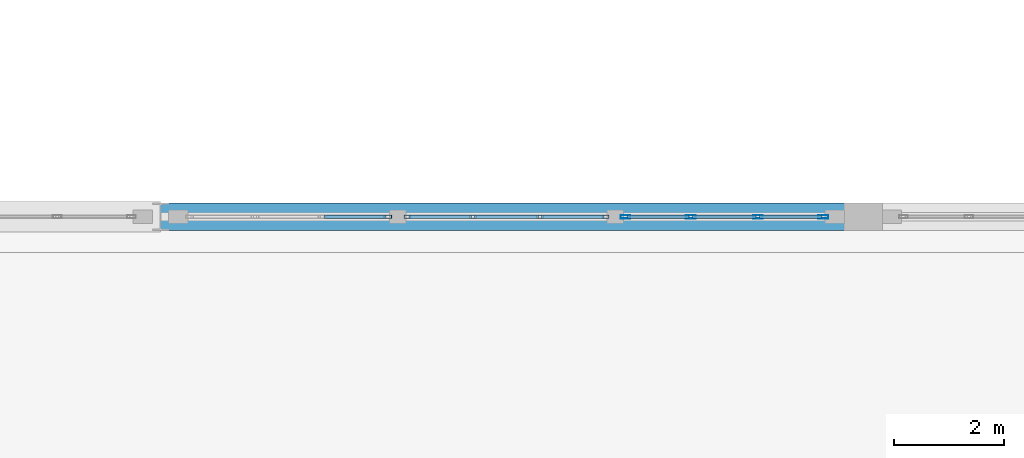
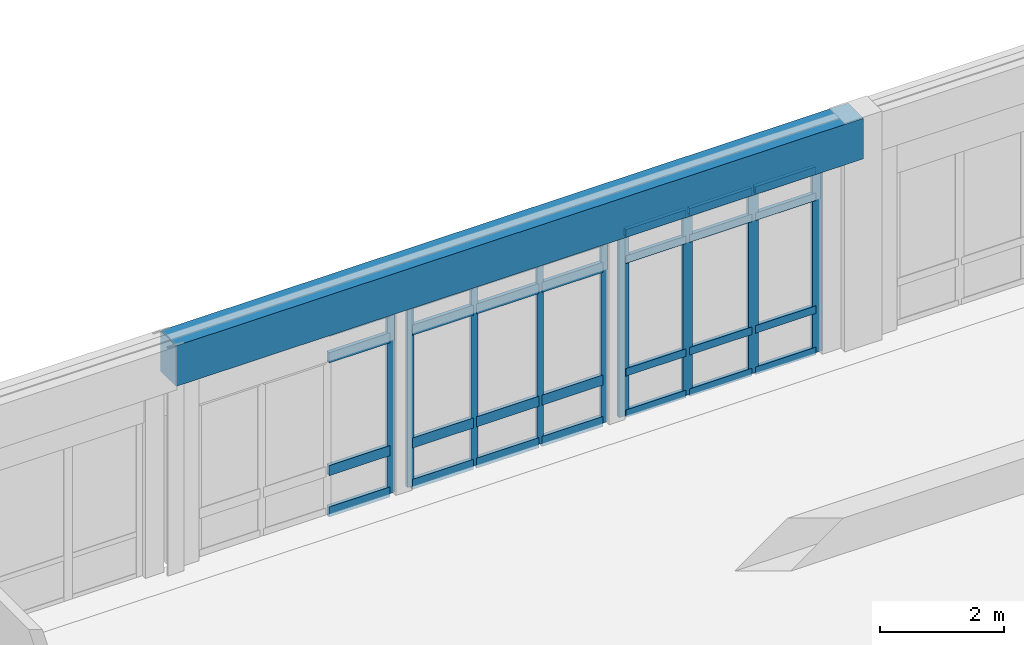
# One storey, part 47 of 80: 37 members, 1 beam, 3 elements without a shape of their own.
"""IFC4 building model written with IfcOpenShell, lengths in metres."""

from ifc_helpers import new_model, si_unit, direction, frame, origin, origin_2d, place, context, subcontext, project, spatial, rectangle, hollow_rectangle, extrude, material, layer, layer_set, material_profile, profile_set, type_object, element, aggregate, save


model = new_model("IFC4")

# Units and contexts
model_context = context("Model", 3, precision=1e-05, world=origin(), true_north=direction((0.0, 1.0)))
body_context = subcontext(model_context, "Body", "Model", "MODEL_VIEW")
ifc_project = project(units=[si_unit("LENGTHUNIT", "METRE"), si_unit("AREAUNIT", "SQUARE_METRE"), si_unit("VOLUMEUNIT", "CUBIC_METRE"), si_unit("PLANEANGLEUNIT", "RADIAN"), si_unit("MASSUNIT", "GRAM", prefix="KILO")], contexts=[model_context])

# Site, building, storey
site_placement = place(None, origin())
site = spatial("IfcSite", under=ifc_project, at=site_placement, CompositionType="ELEMENT")
building_placement = place(site_placement, origin())
building = spatial("IfcBuilding", under=site, at=building_placement, Name="Fikremerkos Civic Library", CompositionType="ELEMENT")
storey_placement = place(building_placement, frame((0.0, 0.0, 9.89990234375)))
storey = spatial("IfcBuildingStorey", under=building, at=storey_placement, Name="L02", CompositionType="ELEMENT", Elevation=9.89990234375)

# Curtain wall, members
ifc_material_1 = material(Name="Anodized aluminium Frame", Category="aluminium")
ifc_layer_1 = layer(ifc_material_1, 0.159912109375, Name="Anodized aluminium Frame")
ifc_layer_set_1 = layer_set([ifc_layer_1], Name="Anodized aluminium Frame")
curtain_wall_type_1 = type_object("IfcCurtainWallType", Name="Unitised curtain wall CW-17 4600x3600", PredefinedType="USERDEFINED", material=ifc_layer_set_1)
curtain_wall_1_placement = place(storey_placement, origin())
curtain_wall_1 = element("IfcCurtainWall", 1, at=curtain_wall_1_placement, inside=storey, type_object=curtain_wall_type_1, Name="Unitised curtain wall CW-17 L02 #179", ObjectType="UNITISED CURTAIN WALL", PredefinedType="USERDEFINED")
ifc_material_profile_1 = material_profile(ifc_material_1, hollow_rectangle(XDim=0.06494140625, YDim=0.179931640625, WallThickness=0.00439453125, at=origin_2d()), Name="ALU 180x65x4.5")
ifc_profile_set_1 = profile_set([ifc_material_profile_1], Name="Anodized aluminium Frame")
member_type_1 = type_object("IfcMemberType", Name="Curtain mullion CWM-01 ALU 180x65x4.5", PredefinedType="MULLION", material=ifc_profile_set_1)
member_1_placement = place(storey_placement, frame((142.866455078125, 40.800048828125, 0.0), z_axis=(0.0, 0.0, 1.0), x_axis=(0.0, 1.0, 0.0)))
member_1 = element("IfcMember", 2, at=member_1_placement, type_object=member_type_1, Name="CW-17 mullion 1", PredefinedType="MULLION", context=body_context, shape_type="SweptSolid", body=[
    extrude(hollow_rectangle(XDim=0.06494140625, YDim=0.179931640625, WallThickness=0.00439453125, at=origin_2d()), origin(), (0.0, 0.0, 1.0), 3.6201171875),
])
member_2_placement = place(storey_placement, frame((144.056640625, 40.800048828125, 0.0), z_axis=(0.0, 0.0, 1.0), x_axis=(0.0, 1.0, 0.0)))
member_2 = element("IfcMember", 3, at=member_2_placement, type_object=member_type_1, Name="CW-17 mullion 2", PredefinedType="MULLION", context=body_context, shape_type="SweptSolid", body=[
    extrude(hollow_rectangle(XDim=0.06494140625, YDim=0.179931640625, WallThickness=0.00439453125, at=origin_2d()), origin(), (0.0, 0.0, 1.0), 3.6201171875),
])
member_3_placement = place(storey_placement, frame((145.279296875, 40.800048828125, 0.0), z_axis=(0.0, 0.0, 1.0), x_axis=(0.0, 1.0, 0.0)))
member_3 = element("IfcMember", 4, at=member_3_placement, type_object=member_type_1, Name="CW-17 mullion 3", PredefinedType="MULLION", context=body_context, shape_type="SweptSolid", body=[
    extrude(hollow_rectangle(XDim=0.06494140625, YDim=0.179931640625, WallThickness=0.00439453125, at=origin_2d()), origin(), (0.0, 0.0, 1.0), 3.6201171875),
])
member_4_placement = place(storey_placement, frame((146.469482421875, 40.800048828125, 0.0), z_axis=(0.0, 0.0, 1.0), x_axis=(0.0, 1.0, 0.0)))
member_4 = element("IfcMember", 5, at=member_4_placement, type_object=member_type_1, Name="CW-17 mullion 4", PredefinedType="MULLION", context=body_context, shape_type="SweptSolid", body=[
    extrude(hollow_rectangle(XDim=0.06494140625, YDim=0.179931640625, WallThickness=0.00439453125, at=origin_2d()), origin(), (0.0, 0.0, 1.0), 3.6201171875),
])

# Curtain wall, member
ifc_layer_2 = layer(ifc_material_1, 0.159912109375, Name="Anodized aluminium Frame")
ifc_layer_set_2 = layer_set([ifc_layer_2], Name="Anodized aluminium Frame")
curtain_wall_type_2 = type_object("IfcCurtainWallType", Name="Unitised curtain wall CW-15 2900x3600", PredefinedType="USERDEFINED", material=ifc_layer_set_2)
curtain_wall_2_placement = place(storey_placement, origin())
curtain_wall_2 = element("IfcCurtainWall", 6, at=curtain_wall_2_placement, inside=storey, type_object=curtain_wall_type_2, Name="Unitised curtain wall CW-15 L02 #177", ObjectType="UNITISED CURTAIN WALL", PredefinedType="USERDEFINED")
ifc_material_profile_2 = material_profile(ifc_material_1, hollow_rectangle(XDim=0.06005859375, YDim=0.139892578125, WallThickness=0.00390625, at=origin_2d()), Name="ALU 140x60x4")
ifc_profile_set_2 = profile_set([ifc_material_profile_2], Name="Anodized aluminium Frame")
member_type_2 = type_object("IfcMemberType", Name="Curtain mullion CWM-03 ALU 140x60x4", PredefinedType="MULLION", material=ifc_profile_set_2)
member_5_placement = place(storey_placement, frame((138.535888671875, 40.800048828125, 0.0), z_axis=(0.0, 0.0, 1.0), x_axis=(0.0, 1.0, 0.0)))
member_5 = element("IfcMember", 7, at=member_5_placement, type_object=member_type_2, Name="CW-15 mullion 4", PredefinedType="MULLION", context=body_context, shape_type="SweptSolid", body=[
    extrude(hollow_rectangle(XDim=0.06005859375, YDim=0.139892578125, WallThickness=0.00390625, at=origin_2d()), origin(), (0.0, 0.0, 1.0), 3.6201171875),
])

# Curtain wall, members
ifc_layer_3 = layer(ifc_material_1, 0.159912109375, Name="Anodized aluminium Frame")
ifc_layer_set_3 = layer_set([ifc_layer_3], Name="Anodized aluminium Frame")
curtain_wall_type_3 = type_object("IfcCurtainWallType", Name="Unitised curtain wall CW-16 3100x4100", PredefinedType="USERDEFINED", material=ifc_layer_set_3)
curtain_wall_3_placement = place(storey_placement, origin())
curtain_wall_3 = element("IfcCurtainWall", 8, at=curtain_wall_3_placement, inside=storey, type_object=curtain_wall_type_3, Name="Unitised curtain wall CW-16 L02 #178", ObjectType="UNITISED CURTAIN WALL", PredefinedType="USERDEFINED")
ifc_material_profile_3 = material_profile(ifc_material_1, hollow_rectangle(XDim=0.06005859375, YDim=0.1201171875, WallThickness=0.00390625, at=origin_2d()), Name="ALU 120x60x4")
ifc_profile_set_3 = profile_set([ifc_material_profile_3], Name="Anodized aluminium Frame")
member_type_3 = type_object("IfcMemberType", Name="Curtain mullion CWM-04 ALU 120x60x4", PredefinedType="MULLION", material=ifc_profile_set_3)
member_6_placement = place(storey_placement, frame((138.89599609375, 40.800048828125, 0.0), z_axis=(0.0, 0.0, 1.0), x_axis=(0.0, 1.0, 0.0)))
member_6 = element("IfcMember", 9, at=member_6_placement, type_object=member_type_3, Name="CW-16 mullion 1", PredefinedType="MULLION", context=body_context, shape_type="SweptSolid", body=[
    extrude(hollow_rectangle(XDim=0.06005859375, YDim=0.1201171875, WallThickness=0.00390625, at=origin_2d()), origin(), (0.0, 0.0, 1.0), 3.6201171875),
])
member_7_placement = place(storey_placement, frame((140.088623046875, 40.800048828125, 0.0), z_axis=(0.0, 0.0, 1.0), x_axis=(0.0, 1.0, 0.0)))
member_7 = element("IfcMember", 10, at=member_7_placement, type_object=member_type_3, Name="CW-16 mullion 2", PredefinedType="MULLION", context=body_context, shape_type="SweptSolid", body=[
    extrude(hollow_rectangle(XDim=0.06005859375, YDim=0.1201171875, WallThickness=0.00390625, at=origin_2d()), origin(), (0.0, 0.0, 1.0), 3.6201171875),
])
member_8_placement = place(storey_placement, frame((141.311279296875, 40.800048828125, 0.0), z_axis=(0.0, 0.0, 1.0), x_axis=(0.0, 1.0, 0.0)))
member_8 = element("IfcMember", 11, at=member_8_placement, type_object=member_type_3, Name="CW-16 mullion 3", PredefinedType="MULLION", context=body_context, shape_type="SweptSolid", body=[
    extrude(hollow_rectangle(XDim=0.06005859375, YDim=0.1201171875, WallThickness=0.00390625, at=origin_2d()), origin(), (0.0, 0.0, 1.0), 3.6201171875),
])
member_9_placement = place(storey_placement, frame((142.50390625, 40.800048828125, 0.0), z_axis=(0.0, 0.0, 1.0), x_axis=(0.0, 1.0, 0.0)))
member_9 = element("IfcMember", 12, at=member_9_placement, type_object=member_type_3, Name="CW-16 mullion 4", PredefinedType="MULLION", context=body_context, shape_type="SweptSolid", body=[
    extrude(hollow_rectangle(XDim=0.06005859375, YDim=0.1201171875, WallThickness=0.00390625, at=origin_2d()), origin(), (0.0, 0.0, 1.0), 3.6201171875),
])

# Member
ifc_material_profile_4 = material_profile(ifc_material_1, hollow_rectangle(XDim=0.070068359375, YDim=0.14990234375, WallThickness=0.00439453125, at=origin_2d()), Name="ALU 150x70x4.5")
ifc_profile_set_4 = profile_set([ifc_material_profile_4], Name="Anodized aluminium Frame")
member_type_4 = type_object("IfcMemberType", Name="Curtain transom CWT-01 ALU 150x70x4.5", PredefinedType="USERDEFINED", material=ifc_profile_set_4)
member_10_placement = place(storey_placement, frame((142.89892578125, 40.800048828125, 0.03515625), z_axis=(1.0, 0.0, 0.0), x_axis=(0.0, 1.0, 0.0)))
member_10 = element("IfcMember", 13, at=member_10_placement, type_object=member_type_4, Name="CW-17 transom 1.1", ObjectType="TRANSOM", PredefinedType="USERDEFINED", context=body_context, shape_type="SweptSolid", body=[
    extrude(hollow_rectangle(XDim=0.070068359375, YDim=0.14990234375, WallThickness=0.00439453125, at=origin_2d()), origin(), (0.0, 0.0, 1.0), 1.125244140625),
])

member_11_placement = place(storey_placement, frame((142.89892578125, 40.800048828125, 0.85009765625), z_axis=(1.0, 0.0, 0.0), x_axis=(0.0, 1.0, 0.0)))
member_11 = element("IfcMember", 14, at=member_11_placement, type_object=member_type_4, Name="CW-17 transom 1.2", ObjectType="TRANSOM", PredefinedType="USERDEFINED", context=body_context, shape_type="SweptSolid", body=[
    extrude(hollow_rectangle(XDim=0.070068359375, YDim=0.14990234375, WallThickness=0.00439453125, at=origin_2d()), origin(), (0.0, 0.0, 1.0), 1.125244140625),
])

member_12_placement = place(storey_placement, frame((142.89892578125, 40.800048828125, 3.070068359375), z_axis=(1.0, 0.0, 0.0), x_axis=(0.0, 1.0, 0.0)))
member_12 = element("IfcMember", 15, at=member_12_placement, type_object=member_type_4, Name="CW-17 transom 1.3", ObjectType="TRANSOM", PredefinedType="USERDEFINED", context=body_context, shape_type="SweptSolid", body=[
    extrude(hollow_rectangle(XDim=0.070068359375, YDim=0.14990234375, WallThickness=0.00439453125, at=origin_2d()), origin(), (0.0, 0.0, 1.0), 1.125244140625),
])

member_13_placement = place(storey_placement, frame((142.89892578125, 40.800048828125, 3.585205078125), z_axis=(1.0, 0.0, 0.0), x_axis=(0.0, 1.0, 0.0)))
member_13 = element("IfcMember", 16, at=member_13_placement, type_object=member_type_4, Name="CW-17 transom 1.4", ObjectType="TRANSOM", PredefinedType="USERDEFINED", context=body_context, shape_type="SweptSolid", body=[
    extrude(hollow_rectangle(XDim=0.070068359375, YDim=0.14990234375, WallThickness=0.00439453125, at=origin_2d()), origin(), (0.0, 0.0, 1.0), 1.125244140625),
])

member_14_placement = place(storey_placement, frame((144.089111328125, 40.800048828125, 0.03515625), z_axis=(1.0, 0.0, 0.0), x_axis=(0.0, 1.0, 0.0)))
member_14 = element("IfcMember", 17, at=member_14_placement, type_object=member_type_4, Name="CW-17 transom 2.1", ObjectType="TRANSOM", PredefinedType="USERDEFINED", context=body_context, shape_type="SweptSolid", body=[
    extrude(hollow_rectangle(XDim=0.070068359375, YDim=0.14990234375, WallThickness=0.00439453125, at=origin_2d()), origin(), (0.0, 0.0, 1.0), 1.15771484375),
])

member_15_placement = place(storey_placement, frame((144.089111328125, 40.800048828125, 0.85009765625), z_axis=(1.0, 0.0, 0.0), x_axis=(0.0, 1.0, 0.0)))
member_15 = element("IfcMember", 18, at=member_15_placement, type_object=member_type_4, Name="CW-17 transom 2.2", ObjectType="TRANSOM", PredefinedType="USERDEFINED", context=body_context, shape_type="SweptSolid", body=[
    extrude(hollow_rectangle(XDim=0.070068359375, YDim=0.14990234375, WallThickness=0.00439453125, at=origin_2d()), origin(), (0.0, 0.0, 1.0), 1.15771484375),
])

member_16_placement = place(storey_placement, frame((144.089111328125, 40.800048828125, 3.070068359375), z_axis=(1.0, 0.0, 0.0), x_axis=(0.0, 1.0, 0.0)))
member_16 = element("IfcMember", 19, at=member_16_placement, type_object=member_type_4, Name="CW-17 transom 2.3", ObjectType="TRANSOM", PredefinedType="USERDEFINED", context=body_context, shape_type="SweptSolid", body=[
    extrude(hollow_rectangle(XDim=0.070068359375, YDim=0.14990234375, WallThickness=0.00439453125, at=origin_2d()), origin(), (0.0, 0.0, 1.0), 1.15771484375),
])

member_17_placement = place(storey_placement, frame((144.089111328125, 40.800048828125, 3.585205078125), z_axis=(1.0, 0.0, 0.0), x_axis=(0.0, 1.0, 0.0)))
member_17 = element("IfcMember", 20, at=member_17_placement, type_object=member_type_4, Name="CW-17 transom 2.4", ObjectType="TRANSOM", PredefinedType="USERDEFINED", context=body_context, shape_type="SweptSolid", body=[
    extrude(hollow_rectangle(XDim=0.070068359375, YDim=0.14990234375, WallThickness=0.00439453125, at=origin_2d()), origin(), (0.0, 0.0, 1.0), 1.15771484375),
])

member_18_placement = place(storey_placement, frame((145.311767578125, 40.800048828125, 0.03515625), z_axis=(1.0, 0.0, 0.0), x_axis=(0.0, 1.0, 0.0)))
member_18 = element("IfcMember", 21, at=member_18_placement, type_object=member_type_4, Name="CW-17 transom 3.1", ObjectType="TRANSOM", PredefinedType="USERDEFINED", context=body_context, shape_type="SweptSolid", body=[
    extrude(hollow_rectangle(XDim=0.070068359375, YDim=0.14990234375, WallThickness=0.00439453125, at=origin_2d()), origin(), (0.0, 0.0, 1.0), 1.125244140625),
])

member_19_placement = place(storey_placement, frame((145.311767578125, 40.800048828125, 0.85009765625), z_axis=(1.0, 0.0, 0.0), x_axis=(0.0, 1.0, 0.0)))
member_19 = element("IfcMember", 22, at=member_19_placement, type_object=member_type_4, Name="CW-17 transom 3.2", ObjectType="TRANSOM", PredefinedType="USERDEFINED", context=body_context, shape_type="SweptSolid", body=[
    extrude(hollow_rectangle(XDim=0.070068359375, YDim=0.14990234375, WallThickness=0.00439453125, at=origin_2d()), origin(), (0.0, 0.0, 1.0), 1.125244140625),
])

member_20_placement = place(storey_placement, frame((145.311767578125, 40.800048828125, 3.070068359375), z_axis=(1.0, 0.0, 0.0), x_axis=(0.0, 1.0, 0.0)))
member_20 = element("IfcMember", 23, at=member_20_placement, type_object=member_type_4, Name="CW-17 transom 3.3", ObjectType="TRANSOM", PredefinedType="USERDEFINED", context=body_context, shape_type="SweptSolid", body=[
    extrude(hollow_rectangle(XDim=0.070068359375, YDim=0.14990234375, WallThickness=0.00439453125, at=origin_2d()), origin(), (0.0, 0.0, 1.0), 1.125244140625),
])

member_21_placement = place(storey_placement, frame((145.311767578125, 40.800048828125, 3.585205078125), z_axis=(1.0, 0.0, 0.0), x_axis=(0.0, 1.0, 0.0)))
member_21 = element("IfcMember", 24, at=member_21_placement, type_object=member_type_4, Name="CW-17 transom 3.4", ObjectType="TRANSOM", PredefinedType="USERDEFINED", context=body_context, shape_type="SweptSolid", body=[
    extrude(hollow_rectangle(XDim=0.070068359375, YDim=0.14990234375, WallThickness=0.00439453125, at=origin_2d()), origin(), (0.0, 0.0, 1.0), 1.125244140625),
])

aggregate(curtain_wall_1, [member_1, member_2, member_3, member_4, member_10, member_11, member_12, member_13, member_14, member_15, member_16, member_17, member_18, member_19, member_20, member_21])

ifc_material_profile_5 = material_profile(ifc_material_1, hollow_rectangle(XDim=0.070068359375, YDim=0.199951171875, WallThickness=0.0048828125, at=origin_2d()), Name="ALU 200x70x5")
ifc_profile_set_5 = profile_set([ifc_material_profile_5], Name="Anodized aluminium Frame")
member_type_5 = type_object("IfcMemberType", Name="Curtain transom CWT-04 ALU 200x70x5", PredefinedType="USERDEFINED", material=ifc_profile_set_5)
member_22_placement = place(storey_placement, frame((137.373291015625, 40.800048828125, 0.03515625), z_axis=(1.0, 0.0, 0.0), x_axis=(0.0, 1.0, 0.0)))
member_22 = element("IfcMember", 25, at=member_22_placement, type_object=member_type_5, Name="CW-15 transom 3.1", ObjectType="TRANSOM", PredefinedType="USERDEFINED", context=body_context, shape_type="SweptSolid", body=[
    extrude(hollow_rectangle(XDim=0.070068359375, YDim=0.199951171875, WallThickness=0.0048828125, at=origin_2d()), origin(), (0.0, 0.0, 1.0), 1.1328125),
])

member_23_placement = place(storey_placement, frame((137.373291015625, 40.800048828125, 0.85009765625), z_axis=(1.0, 0.0, 0.0), x_axis=(0.0, 1.0, 0.0)))
member_23 = element("IfcMember", 26, at=member_23_placement, type_object=member_type_5, Name="CW-15 transom 3.2", ObjectType="TRANSOM", PredefinedType="USERDEFINED", context=body_context, shape_type="SweptSolid", body=[
    extrude(hollow_rectangle(XDim=0.070068359375, YDim=0.199951171875, WallThickness=0.0048828125, at=origin_2d()), origin(), (0.0, 0.0, 1.0), 1.1328125),
])

member_24_placement = place(storey_placement, frame((137.373291015625, 40.800048828125, 3.070068359375), z_axis=(1.0, 0.0, 0.0), x_axis=(0.0, 1.0, 0.0)))
member_24 = element("IfcMember", 27, at=member_24_placement, type_object=member_type_5, Name="CW-15 transom 3.3", ObjectType="TRANSOM", PredefinedType="USERDEFINED", context=body_context, shape_type="SweptSolid", body=[
    extrude(hollow_rectangle(XDim=0.070068359375, YDim=0.199951171875, WallThickness=0.0048828125, at=origin_2d()), origin(), (0.0, 0.0, 1.0), 1.1328125),
])

member_25_placement = place(storey_placement, frame((137.373291015625, 40.800048828125, 3.585205078125), z_axis=(1.0, 0.0, 0.0), x_axis=(0.0, 1.0, 0.0)))
member_25 = element("IfcMember", 28, at=member_25_placement, type_object=member_type_5, Name="CW-15 transom 3.4", ObjectType="TRANSOM", PredefinedType="USERDEFINED", context=body_context, shape_type="SweptSolid", body=[
    extrude(hollow_rectangle(XDim=0.070068359375, YDim=0.199951171875, WallThickness=0.0048828125, at=origin_2d()), origin(), (0.0, 0.0, 1.0), 1.1328125),
])

aggregate(curtain_wall_2, [member_5, member_22, member_23, member_24, member_25])

member_26_placement = place(storey_placement, frame((138.926025390625, 40.800048828125, 0.03515625), z_axis=(1.0, 0.0, 0.0), x_axis=(0.0, 1.0, 0.0)))
member_26 = element("IfcMember", 29, at=member_26_placement, type_object=member_type_5, Name="CW-16 transom 1.1", ObjectType="TRANSOM", PredefinedType="USERDEFINED", context=body_context, shape_type="SweptSolid", body=[
    extrude(hollow_rectangle(XDim=0.070068359375, YDim=0.199951171875, WallThickness=0.0048828125, at=origin_2d()), origin(), (0.0, 0.0, 1.0), 1.132568359375),
])

member_27_placement = place(storey_placement, frame((138.926025390625, 40.800048828125, 0.85009765625), z_axis=(1.0, 0.0, 0.0), x_axis=(0.0, 1.0, 0.0)))
member_27 = element("IfcMember", 30, at=member_27_placement, type_object=member_type_5, Name="CW-16 transom 1.2", ObjectType="TRANSOM", PredefinedType="USERDEFINED", context=body_context, shape_type="SweptSolid", body=[
    extrude(hollow_rectangle(XDim=0.070068359375, YDim=0.199951171875, WallThickness=0.0048828125, at=origin_2d()), origin(), (0.0, 0.0, 1.0), 1.132568359375),
])

member_28_placement = place(storey_placement, frame((138.926025390625, 40.800048828125, 3.070068359375), z_axis=(1.0, 0.0, 0.0), x_axis=(0.0, 1.0, 0.0)))
member_28 = element("IfcMember", 31, at=member_28_placement, type_object=member_type_5, Name="CW-16 transom 1.3", ObjectType="TRANSOM", PredefinedType="USERDEFINED", context=body_context, shape_type="SweptSolid", body=[
    extrude(hollow_rectangle(XDim=0.070068359375, YDim=0.199951171875, WallThickness=0.0048828125, at=origin_2d()), origin(), (0.0, 0.0, 1.0), 1.132568359375),
])

member_29_placement = place(storey_placement, frame((138.926025390625, 40.800048828125, 3.585205078125), z_axis=(1.0, 0.0, 0.0), x_axis=(0.0, 1.0, 0.0)))
member_29 = element("IfcMember", 32, at=member_29_placement, type_object=member_type_5, Name="CW-16 transom 1.4", ObjectType="TRANSOM", PredefinedType="USERDEFINED", context=body_context, shape_type="SweptSolid", body=[
    extrude(hollow_rectangle(XDim=0.070068359375, YDim=0.199951171875, WallThickness=0.0048828125, at=origin_2d()), origin(), (0.0, 0.0, 1.0), 1.132568359375),
])

member_30_placement = place(storey_placement, frame((140.11865234375, 40.800048828125, 0.03515625), z_axis=(1.0, 0.0, 0.0), x_axis=(0.0, 1.0, 0.0)))
member_30 = element("IfcMember", 33, at=member_30_placement, type_object=member_type_5, Name="CW-16 transom 2.1", ObjectType="TRANSOM", PredefinedType="USERDEFINED", context=body_context, shape_type="SweptSolid", body=[
    extrude(hollow_rectangle(XDim=0.070068359375, YDim=0.199951171875, WallThickness=0.0048828125, at=origin_2d()), origin(), (0.0, 0.0, 1.0), 1.16259765625),
])

member_31_placement = place(storey_placement, frame((140.11865234375, 40.800048828125, 0.85009765625), z_axis=(1.0, 0.0, 0.0), x_axis=(0.0, 1.0, 0.0)))
member_31 = element("IfcMember", 34, at=member_31_placement, type_object=member_type_5, Name="CW-16 transom 2.2", ObjectType="TRANSOM", PredefinedType="USERDEFINED", context=body_context, shape_type="SweptSolid", body=[
    extrude(hollow_rectangle(XDim=0.070068359375, YDim=0.199951171875, WallThickness=0.0048828125, at=origin_2d()), origin(), (0.0, 0.0, 1.0), 1.16259765625),
])

member_32_placement = place(storey_placement, frame((140.11865234375, 40.800048828125, 3.070068359375), z_axis=(1.0, 0.0, 0.0), x_axis=(0.0, 1.0, 0.0)))
member_32 = element("IfcMember", 35, at=member_32_placement, type_object=member_type_5, Name="CW-16 transom 2.3", ObjectType="TRANSOM", PredefinedType="USERDEFINED", context=body_context, shape_type="SweptSolid", body=[
    extrude(hollow_rectangle(XDim=0.070068359375, YDim=0.199951171875, WallThickness=0.0048828125, at=origin_2d()), origin(), (0.0, 0.0, 1.0), 1.16259765625),
])

member_33_placement = place(storey_placement, frame((140.11865234375, 40.800048828125, 3.585205078125), z_axis=(1.0, 0.0, 0.0), x_axis=(0.0, 1.0, 0.0)))
member_33 = element("IfcMember", 36, at=member_33_placement, type_object=member_type_5, Name="CW-16 transom 2.4", ObjectType="TRANSOM", PredefinedType="USERDEFINED", context=body_context, shape_type="SweptSolid", body=[
    extrude(hollow_rectangle(XDim=0.070068359375, YDim=0.199951171875, WallThickness=0.0048828125, at=origin_2d()), origin(), (0.0, 0.0, 1.0), 1.16259765625),
])

member_34_placement = place(storey_placement, frame((141.34130859375, 40.800048828125, 0.03515625), z_axis=(1.0, 0.0, 0.0), x_axis=(0.0, 1.0, 0.0)))
member_34 = element("IfcMember", 37, at=member_34_placement, type_object=member_type_5, Name="CW-16 transom 3.1", ObjectType="TRANSOM", PredefinedType="USERDEFINED", context=body_context, shape_type="SweptSolid", body=[
    extrude(hollow_rectangle(XDim=0.070068359375, YDim=0.199951171875, WallThickness=0.0048828125, at=origin_2d()), origin(), (0.0, 0.0, 1.0), 1.1328125),
])

member_35_placement = place(storey_placement, frame((141.34130859375, 40.800048828125, 0.85009765625), z_axis=(1.0, 0.0, 0.0), x_axis=(0.0, 1.0, 0.0)))
member_35 = element("IfcMember", 38, at=member_35_placement, type_object=member_type_5, Name="CW-16 transom 3.2", ObjectType="TRANSOM", PredefinedType="USERDEFINED", context=body_context, shape_type="SweptSolid", body=[
    extrude(hollow_rectangle(XDim=0.070068359375, YDim=0.199951171875, WallThickness=0.0048828125, at=origin_2d()), origin(), (0.0, 0.0, 1.0), 1.1328125),
])

member_36_placement = place(storey_placement, frame((141.34130859375, 40.800048828125, 3.070068359375), z_axis=(1.0, 0.0, 0.0), x_axis=(0.0, 1.0, 0.0)))
member_36 = element("IfcMember", 39, at=member_36_placement, type_object=member_type_5, Name="CW-16 transom 3.3", ObjectType="TRANSOM", PredefinedType="USERDEFINED", context=body_context, shape_type="SweptSolid", body=[
    extrude(hollow_rectangle(XDim=0.070068359375, YDim=0.199951171875, WallThickness=0.0048828125, at=origin_2d()), origin(), (0.0, 0.0, 1.0), 1.1328125),
])

member_37_placement = place(storey_placement, frame((141.34130859375, 40.800048828125, 3.585205078125), z_axis=(1.0, 0.0, 0.0), x_axis=(0.0, 1.0, 0.0)))
member_37 = element("IfcMember", 40, at=member_37_placement, type_object=member_type_5, Name="CW-16 transom 3.4", ObjectType="TRANSOM", PredefinedType="USERDEFINED", context=body_context, shape_type="SweptSolid", body=[
    extrude(hollow_rectangle(XDim=0.070068359375, YDim=0.199951171875, WallThickness=0.0048828125, at=origin_2d()), origin(), (0.0, 0.0, 1.0), 1.1328125),
])

aggregate(curtain_wall_3, [member_6, member_7, member_8, member_9, member_26, member_27, member_28, member_29, member_30, member_31, member_32, member_33, member_34, member_35, member_36, member_37])

# Beam
ifc_material_2 = material(Name="Concrete C40/50", Category="concrete")
ifc_material_profile_6 = material_profile(ifc_material_2, rectangle(XDim=0.5, YDim=0.800048828125, at=origin_2d()), Name="RC 500x800")
ifc_profile_set_6 = profile_set([ifc_material_profile_6], Name="Concrete C40/50")
beam_type = type_object("IfcBeamType", Name="Primary girder BM-04 RC 500x800", PredefinedType="BEAM", material=ifc_profile_set_6)
beam_placement = place(storey_placement, frame((134.39990234375, 40.800048828125, 4.080078125), z_axis=(1.0, 0.0, 0.0), x_axis=(0.0, 1.0, 0.0)))
element("IfcBeam", 41, at=beam_placement, inside=storey, type_object=beam_type, Name="Primary girder BM-04 L02 grid H", PredefinedType="BEAM", context=body_context, shape_type="SweptSolid", body=[
    extrude(rectangle(XDim=0.5, YDim=0.800048828125, at=origin_2d()), origin(), (0.0, 0.0, 1.0), 12.800048828125),
])

save(model, "model.ifc")
